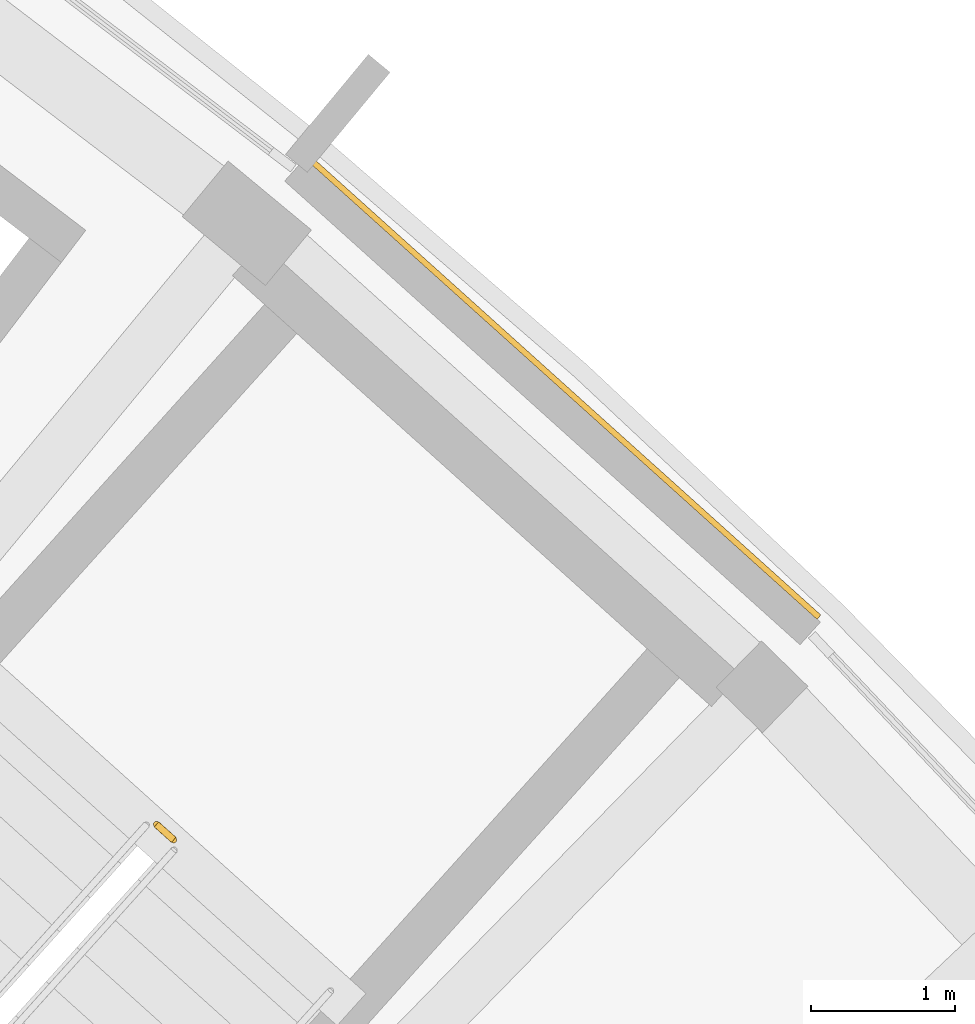
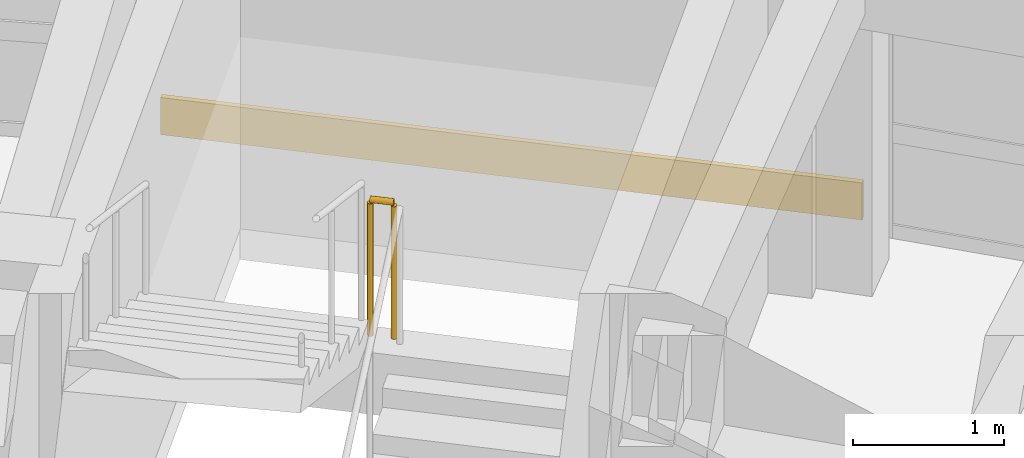
# One storey, part 53 of 56: 1 covering, 1 railing.
"""IFC4 building model written with IfcOpenShell, lengths in metres."""

from ifc_helpers import new_model, si_unit, direction, frame, origin, origin_2d, place, context, subcontext, project, spatial, rectangle, circle, extrude, material, layer, layer_set, type_object, element, save


model = new_model("IFC4")

# Units and contexts
model_context = context("Model", 3, precision=1e-05, world=origin(), true_north=direction((0.0, 1.0)))
body_context = subcontext(model_context, "Body", "Model", "MODEL_VIEW")
ifc_project = project(units=[si_unit("LENGTHUNIT", "METRE"), si_unit("AREAUNIT", "SQUARE_METRE"), si_unit("VOLUMEUNIT", "CUBIC_METRE"), si_unit("PLANEANGLEUNIT", "RADIAN"), si_unit("MASSUNIT", "GRAM", prefix="KILO")], contexts=[model_context])

# Site, building, storey
site_placement = place(None, origin())
site = spatial("IfcSite", under=ifc_project, at=site_placement, CompositionType="ELEMENT")
building_placement = place(site_placement, origin())
building = spatial("IfcBuilding", under=site, at=building_placement, Name="Zimvara Arc Housing Community", CompositionType="ELEMENT")
storey_placement = place(building_placement, frame((0.0, 0.0, 17.39990234375)))
storey = spatial("IfcBuildingStorey", under=building, at=storey_placement, Name="L05", CompositionType="ELEMENT", Elevation=17.39990234375)

# Covering
ifc_material_1 = material(Name="Pale-Gold Anodised Aluminium Cladding", Category="aluminium")
ifc_layer = layer(ifc_material_1, 0.0400390625)
ifc_layer_set = layer_set([ifc_layer], Name="Pale-Gold Anodised Aluminium Cladding")
covering_type = type_object("IfcCoveringType", Name="CLD-GOLD-01", PredefinedType="CLADDING", material=ifc_layer_set)
covering_placement = place(storey_placement, frame((84.767333984375, 88.697265625, 0.01025390625), z_axis=(0.0, 0.0, 1.0), x_axis=(0.74337718344, -0.668872456557, 0.0)))
element("IfcCovering", 1, at=covering_placement, inside=storey, type_object=covering_type, Name="cld:blkB:L05:out:b8", PredefinedType="CLADDING", context=body_context, shape_type="SweptSolid", body=[
    extrude(rectangle(XDim=4.748779296875, YDim=0.0400390625, at=origin_2d()), origin(), (0.0, 0.0, 1.0), 0.300048828125),
])

# Railing
ifc_material_2 = material(Name="Anodised Aluminium AW-6063", Category="aluminium")
railing_type = type_object("IfcRailingType", Name="RLG-BAL-1120", PredefinedType="BALUSTRADE", material=ifc_material_2)
railing_placement = place(storey_placement, frame((82.05615234375, 85.564208984375, 1.550048828125)))
element("IfcRailing", 2, at=railing_placement, inside=storey, type_object=railing_type, Name="L05 ST-B2 stair guard 2", PredefinedType="BALUSTRADE", context=body_context, shape_type="SweptSolid", body=[
    extrude(circle(Radius=0.02392578125, at=origin_2d()), frame((0.0, 0.0, 1.09619140625), z_axis=(-0.744203407529, 0.667953058397, 0.0), x_axis=(-0.667953058397, -0.744203407529, 0.0)), (0.0, 0.0, 1.0), 0.16015625),
    extrude(circle(Radius=0.02099609375, at=origin_2d()), origin(), (0.0, 0.0, 1.0), 1.072021484375),
    extrude(circle(Radius=0.02099609375, at=origin_2d()), frame((-0.119140625, 0.10693359375, 0.0)), (0.0, 0.0, 1.0), 1.072021484375),
])

save(model, "model.ifc")
